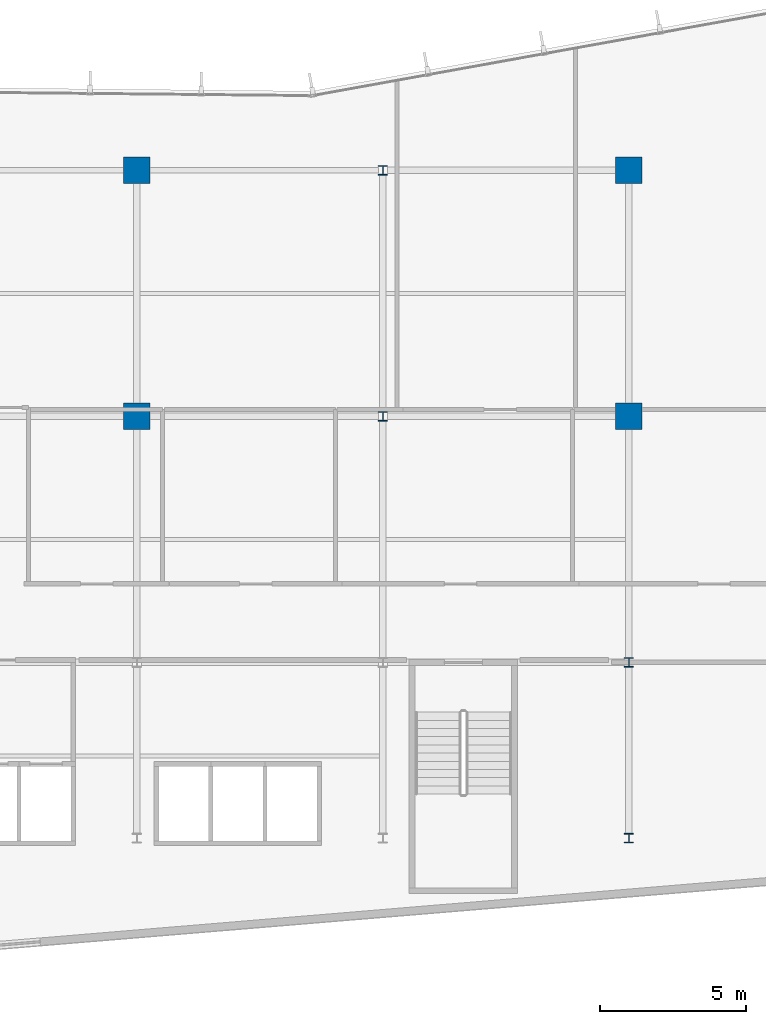
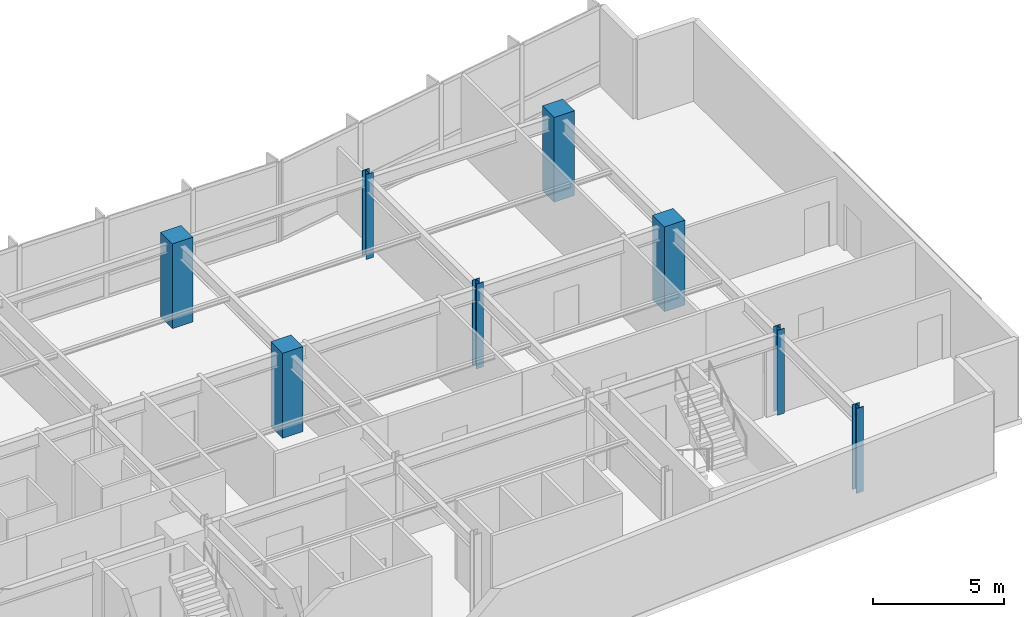
# One storey, part 2 of 18: 8 columns.
"""IFC4 building model written with IfcOpenShell, lengths in metres."""

from ifc_helpers import new_model, si_unit, direction, frame, origin, origin_2d, place, context, subcontext, project, spatial, rectangle, i_section, extrude, material, material_profile, profile_set, type_object, element, save


model = new_model("IFC4")

# Units and contexts
model_context = context("Model", 3, precision=1e-05, world=origin(), true_north=direction((0.0, 1.0)))
body_context = subcontext(model_context, "Body", "Model", "MODEL_VIEW")
ifc_project = project(units=[si_unit("LENGTHUNIT", "METRE"), si_unit("AREAUNIT", "SQUARE_METRE"), si_unit("VOLUMEUNIT", "CUBIC_METRE"), si_unit("PLANEANGLEUNIT", "RADIAN"), si_unit("MASSUNIT", "GRAM", prefix="KILO")], contexts=[model_context])

# Site, building, storey
site_placement = place(None, origin())
site = spatial("IfcSite", under=ifc_project, at=site_placement, CompositionType="ELEMENT")
building_placement = place(site_placement, origin())
building = spatial("IfcBuilding", under=site, at=building_placement, Name="Varnakote Quay Hospital", CompositionType="ELEMENT")
storey_placement = place(building_placement, frame((0.0, 0.0, 73.85009765625)))
storey = spatial("IfcBuildingStorey", under=building, at=storey_placement, Name="L18", CompositionType="ELEMENT", Elevation=73.85009765625)

# Columns
ifc_material_1 = material(Name="Concrete N50 (f'c 50 MPa)", Category="concrete")
ifc_material_profile_1 = material_profile(ifc_material_1, rectangle(XDim=0.89990234375, YDim=0.89990234375, at=origin_2d()), Name="RC-COL-900x900")
ifc_profile_set_1 = profile_set([ifc_material_profile_1], Name="Concrete N50 (f'c 50 MPa)")
column_type_1 = type_object("IfcColumnType", Name="COL-RC-900", PredefinedType="COLUMN", material=ifc_profile_set_1)
for number, where, z_axis, x_axis, name in (
    (1, (33.60009765625, 20.39990234375, 0.0), (0.0, 0.0, 1.0), (1.0, 0.0, 0.0), "L18 Structural Column C-34-20"),
    (2, (50.39990234375, 20.39990234375, 0.0), (0.0, 0.0, 1.0), (1.0, 0.0, 0.0), "L18 Structural Column C-50-20"),
    (3, (33.60009765625, 28.800048828125, 0.0), (0.0, 0.0, 1.0), (1.0, 0.0, 0.0), "L18 Structural Column C-34-29"),
    (4, (50.39990234375, 28.800048828125, 0.0), (0.0, 0.0, 1.0), (1.0, 0.0, 0.0), "L18 Structural Column C-50-29"),
):
    element("IfcColumn", number, at=place(storey_placement, frame(where, z_axis=z_axis, x_axis=x_axis)), inside=storey, type_object=column_type_1, Name=name, PredefinedType="COLUMN", context=body_context, shape_type="SweptSolid", body=[
        extrude(rectangle(XDim=0.89990234375, YDim=0.89990234375, at=origin_2d()), origin(), (0.0, 0.0, 1.0), 3.949951171875),
    ])
ifc_material_2 = material(Name="Structural steel AS/NZS 3679.1 Grade 350 L0 (fy 340 MPa)", Category="steel")
ifc_material_profile_2 = material_profile(ifc_material_2, i_section(OverallWidth=0.31103515625, OverallDepth=0.326904296875, WebThickness=0.015625, FlangeThickness=0.02490234375, FilletRadius=0.0166015625, at=origin_2d()), Name="310UC158")
ifc_profile_set_2 = profile_set([ifc_material_profile_2], Name="Structural steel AS/NZS 3679.1 Grade 350 L0 (fy 340 MPa)")
column_type_2 = type_object("IfcColumnType", Name="COL-STL-310UC158", PredefinedType="COLUMN", material=ifc_profile_set_2)
for number, where, z_axis, x_axis, name in (
    (5, (50.39990234375, 6.0, 0.0), (0.0, 0.0, 1.0), (1.0, 0.0, 0.0), "L18 Structural Column C-50-6"),
    (6, (50.39990234375, 12.0, 0.0), (0.0, 0.0, 1.0), (1.0, 0.0, 0.0), "L18 Structural Column C-50-12"),
    (7, (42.0, 20.39990234375, 0.0), (0.0, 0.0, 1.0), (1.0, 0.0, 0.0), "L18 Structural Column C-42-20"),
    (8, (42.0, 28.800048828125, 0.0), (0.0, 0.0, 1.0), (1.0, 0.0, 0.0), "L18 Structural Column C-42-29"),
):
    element("IfcColumn", number, at=place(storey_placement, frame(where, z_axis=z_axis, x_axis=x_axis)), inside=storey, type_object=column_type_2, Name=name, PredefinedType="COLUMN", context=body_context, shape_type="SweptSolid", body=[
        extrude(i_section(OverallWidth=0.31103515625, OverallDepth=0.326904296875, WebThickness=0.015625, FlangeThickness=0.02490234375, FilletRadius=0.0166015625, at=origin_2d()), origin(), (0.0, 0.0, 1.0), 3.949951171875),
    ])

save(model, "model.ifc")
